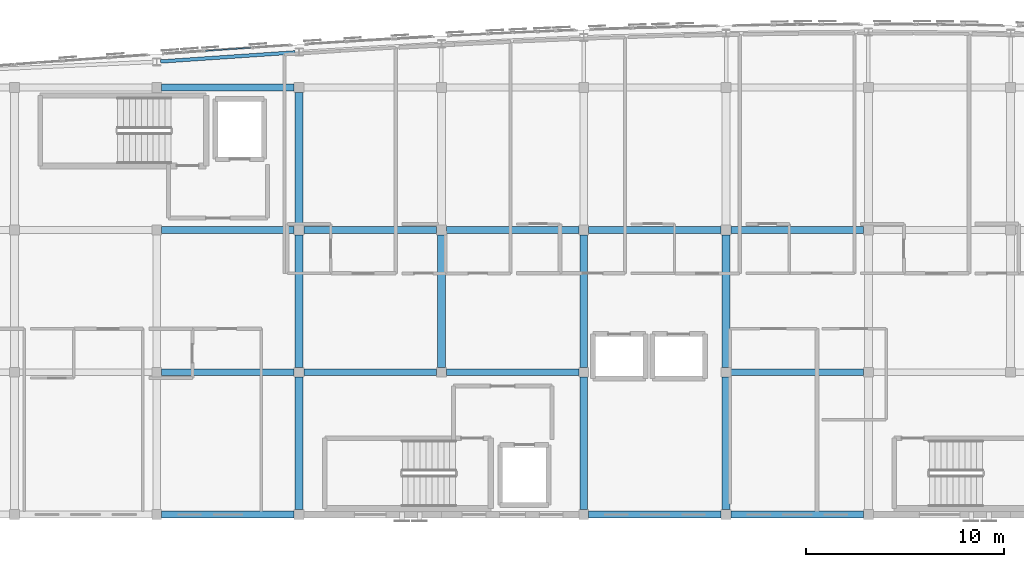
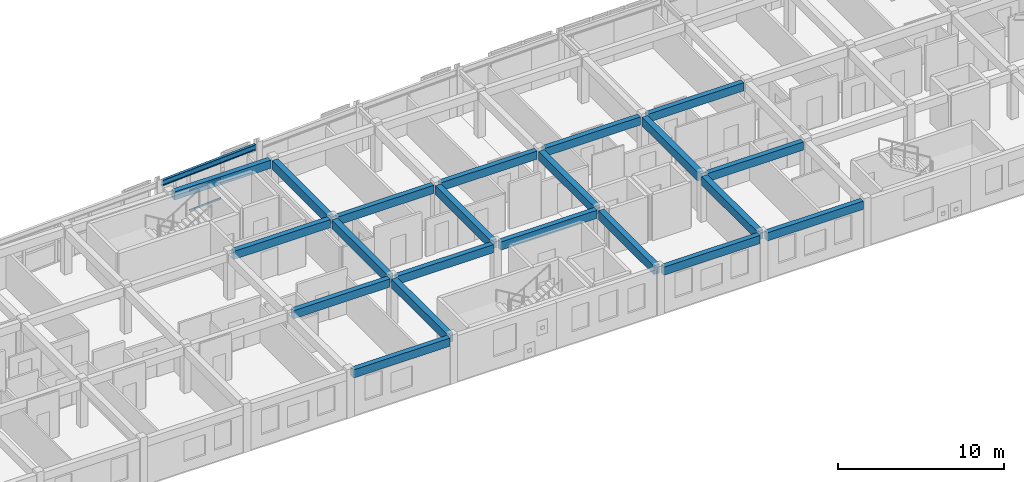
# One storey, part 9 of 34: 22 beams, 3 members, 1 element without a shape of its own.
"""IFC4 building model written with IfcOpenShell, lengths in metres."""

from ifc_helpers import new_model, si_unit, direction, frame, origin, origin_2d, place, context, subcontext, project, spatial, rectangle, hollow_rectangle, i_section, extrude, material, layer, layer_set, material_profile, profile_set, type_object, element, aggregate, save


model = new_model("IFC4")

# Units and contexts
model_context = context("Model", 3, precision=1e-05, world=origin(), true_north=direction((0.0, 1.0)))
body_context = subcontext(model_context, "Body", "Model", "MODEL_VIEW")
ifc_project = project(units=[si_unit("LENGTHUNIT", "METRE"), si_unit("AREAUNIT", "SQUARE_METRE"), si_unit("VOLUMEUNIT", "CUBIC_METRE"), si_unit("PLANEANGLEUNIT", "RADIAN"), si_unit("MASSUNIT", "GRAM", prefix="KILO")], contexts=[model_context])

# Site, building, storey
site_placement = place(None, origin())
site = spatial("IfcSite", under=ifc_project, at=site_placement, CompositionType="ELEMENT")
building_placement = place(site_placement, origin())
building = spatial("IfcBuilding", under=site, at=building_placement, Name="Carrowvane Square Congress Hotel", CompositionType="ELEMENT")
storey_placement = place(building_placement, frame((0.0, 0.0, 40.800048828125)))
storey = spatial("IfcBuildingStorey", under=building, at=storey_placement, Name="L10", CompositionType="ELEMENT", Elevation=40.800048828125)

# Beams
ifc_material_1 = material(Name="Concrete C35/45", Category="concrete")
ifc_material_profile_1 = material_profile(ifc_material_1, rectangle(XDim=0.35009765625, YDim=0.60009765625, at=origin_2d()), Name="RC 350x600")
ifc_profile_set_1 = profile_set([ifc_material_profile_1], Name="Concrete C35/45")
beam_type_1 = type_object("IfcBeamType", Name="BM-RC-350x600", PredefinedType="BEAM", material=ifc_profile_set_1)
for number, where, z_axis, x_axis, name in (
    (1, (62.25, 91.800048828125, 3.079833984375), (1.0, 0.0, 0.0), (0.0, 1.0, 0.0), "L11 girder N/8-9"),
    (2, (83.85009765625, 91.800048828125, 3.079833984375), (1.0, 0.0, 0.0), (0.0, 1.0, 0.0), "L11 girder N/11-12"),
    (3, (91.050048828125, 91.800048828125, 3.079833984375), (1.0, 0.0, 0.0), (0.0, 1.0, 0.0), "L11 girder N/12-13"),
    (4, (62.25, 99.0, 3.079833984375), (1.0, 0.0, 0.0), (0.0, 1.0, 0.0), "L11 girder P/8-9"),
    (5, (69.449951171875, 99.0, 3.079833984375), (1.0, 0.0, 0.0), (0.0, 1.0, 0.0), "L11 girder P/9-10"),
):
    element("IfcBeam", number, at=place(storey_placement, frame(where, z_axis=z_axis, x_axis=x_axis)), inside=storey, type_object=beam_type_1, Name=name, PredefinedType="BEAM", context=body_context, shape_type="SweptSolid", body=[
        extrude(rectangle(XDim=0.35009765625, YDim=0.60009765625, at=origin_2d()), origin(), (0.0, 0.0, 1.0), 6.699951171875),
    ])
beam_1_placement = place(storey_placement, frame((76.64990234375, 99.0, 3.079833984375), z_axis=(1.0, 0.0, 0.0), x_axis=(0.0, 1.0, 0.0)))
element("IfcBeam", 6, at=beam_1_placement, inside=storey, type_object=beam_type_1, Name="L11 girder P/10-11", PredefinedType="BEAM", context=body_context, shape_type="SweptSolid", body=[
    extrude(rectangle(XDim=0.35009765625, YDim=0.60009765625, at=origin_2d()), origin(), (0.0, 0.0, 1.0), 6.7001953125),
])
for number, where, z_axis, x_axis, name in (
    (7, (91.050048828125, 99.0, 3.079833984375), (1.0, 0.0, 0.0), (0.0, 1.0, 0.0), "L11 girder P/12-13"),
    (8, (62.25, 106.199951171875, 3.079833984375), (1.0, 0.0, 0.0), (0.0, 1.0, 0.0), "L11 girder Q/8-9"),
    (9, (69.449951171875, 106.199951171875, 3.079833984375), (1.0, 0.0, 0.0), (0.0, 1.0, 0.0), "L11 girder Q/9-10"),
):
    element("IfcBeam", number, at=place(storey_placement, frame(where, z_axis=z_axis, x_axis=x_axis)), inside=storey, type_object=beam_type_1, Name=name, PredefinedType="BEAM", context=body_context, shape_type="SweptSolid", body=[
        extrude(rectangle(XDim=0.35009765625, YDim=0.60009765625, at=origin_2d()), origin(), (0.0, 0.0, 1.0), 6.699951171875),
    ])
beam_2_placement = place(storey_placement, frame((76.64990234375, 106.199951171875, 3.079833984375), z_axis=(1.0, 0.0, 0.0), x_axis=(0.0, 1.0, 0.0)))
element("IfcBeam", 10, at=beam_2_placement, inside=storey, type_object=beam_type_1, Name="L11 girder Q/10-11", PredefinedType="BEAM", context=body_context, shape_type="SweptSolid", body=[
    extrude(rectangle(XDim=0.35009765625, YDim=0.60009765625, at=origin_2d()), origin(), (0.0, 0.0, 1.0), 6.7001953125),
])
for number, where, z_axis, x_axis, name in (
    (11, (83.85009765625, 106.199951171875, 3.079833984375), (1.0, 0.0, 0.0), (0.0, 1.0, 0.0), "L11 girder Q/11-12"),
    (12, (91.050048828125, 106.199951171875, 3.079833984375), (1.0, 0.0, 0.0), (0.0, 1.0, 0.0), "L11 girder Q/12-13"),
    (13, (62.25, 113.39990234375, 3.079833984375), (1.0, 0.0, 0.0), (0.0, 1.0, 0.0), "L11 girder R/8-9"),
):
    element("IfcBeam", number, at=place(storey_placement, frame(where, z_axis=z_axis, x_axis=x_axis)), inside=storey, type_object=beam_type_1, Name=name, PredefinedType="BEAM", context=body_context, shape_type="SweptSolid", body=[
        extrude(rectangle(XDim=0.35009765625, YDim=0.60009765625, at=origin_2d()), origin(), (0.0, 0.0, 1.0), 6.699951171875),
    ])
ifc_material_2 = material(Name="Concrete C35/45", Category="concrete")
ifc_material_profile_2 = material_profile(ifc_material_2, rectangle(XDim=0.39990234375, YDim=0.64990234375, at=origin_2d()), Name="RC 400x650")
ifc_profile_set_2 = profile_set([ifc_material_profile_2], Name="Concrete C35/45")
beam_type_2 = type_object("IfcBeamType", Name="BM-RC-400x650", PredefinedType="BEAM", material=ifc_profile_set_2)
for number, where, z_axis, x_axis, name in (
    (14, (69.199951171875, 92.050048828125, 3.054931640625), (0.0, 1.0, 0.0), (-1.0, 0.0, 0.0), "L11 girder 9/N-P"),
    (15, (69.199951171875, 99.25, 3.054931640625), (0.0, 1.0, 0.0), (-1.0, 0.0, 0.0), "L11 girder 9/P-Q"),
    (16, (69.199951171875, 106.449951171875, 3.054931640625), (0.0, 1.0, 0.0), (-1.0, 0.0, 0.0), "L11 girder 9/Q-R"),
    (17, (76.39990234375, 99.25, 3.054931640625), (0.0, 1.0, 0.0), (-1.0, 0.0, 0.0), "L11 girder 10/P-Q"),
    (18, (83.60009765625, 92.050048828125, 3.054931640625), (0.0, 1.0, 0.0), (-1.0, 0.0, 0.0), "L11 girder 11/N-P"),
    (19, (83.60009765625, 99.25, 3.054931640625), (0.0, 1.0, 0.0), (-1.0, 0.0, 0.0), "L11 girder 11/P-Q"),
    (20, (90.800048828125, 92.050048828125, 3.054931640625), (0.0, 1.0, 0.0), (-1.0, 0.0, 0.0), "L11 girder 12/N-P"),
    (21, (90.800048828125, 99.25, 3.054931640625), (0.0, 1.0, 0.0), (-1.0, 0.0, 0.0), "L11 girder 12/P-Q"),
):
    element("IfcBeam", number, at=place(storey_placement, frame(where, z_axis=z_axis, x_axis=x_axis)), inside=storey, type_object=beam_type_2, Name=name, PredefinedType="BEAM", context=body_context, shape_type="SweptSolid", body=[
        extrude(rectangle(XDim=0.39990234375, YDim=0.64990234375, at=origin_2d()), origin(), (0.0, 0.0, 1.0), 6.699951171875),
    ])
ifc_material_3 = material(Name="Steel S355", Category="steel")
ifc_material_profile_3 = material_profile(ifc_material_3, i_section(OverallWidth=0.1787109375, OverallDepth=0.409423828125, WebThickness=0.0087890625, FlangeThickness=0.014404296875, FilletRadius=0.01025390625, at=origin_2d()), Name="UKB 406x178x67")
ifc_profile_set_3 = profile_set([ifc_material_profile_3], Name="Steel S355")
beam_type_3 = type_object("IfcBeamType", Name="BM-ST-UKB406", PredefinedType="BEAM", material=ifc_profile_set_3)
beam_3_placement = place(storey_placement, frame((62.197021484375, 114.71923828125, 3.17529296875), z_axis=(0.99770720425, 0.067678169216, 0.0), x_axis=(-0.067678169216, 0.99770720425, 0.0)))
element("IfcBeam", 22, at=beam_3_placement, inside=storey, type_object=beam_type_3, Name="L11 curved north spandrel", PredefinedType="BEAM", context=body_context, shape_type="SweptSolid", body=[
    extrude(i_section(OverallWidth=0.1787109375, OverallDepth=0.409423828125, WebThickness=0.0087890625, FlangeThickness=0.014404296875, FilletRadius=0.01025390625, at=origin_2d()), origin(), (0.0, 0.0, 1.0), 6.821533203125),
])

# Curtain wall, members
ifc_material_4 = material(Name="Anodised aluminium", Category="aluminium")
ifc_layer = layer(ifc_material_4, 0.162109375)
ifc_layer_set = layer_set([ifc_layer], Name="Anodised aluminium")
curtain_wall_type = type_object("IfcCurtainWallType", Name="CW-SYS-1", PredefinedType="NOTDEFINED", material=ifc_layer_set)
curtain_wall_placement = place(storey_placement, origin())
curtain_wall = element("IfcCurtainWall", 23, at=curtain_wall_placement, inside=storey, type_object=curtain_wall_type, Name="L10 unitised curtain wall 560", PredefinedType="NOTDEFINED")
ifc_material_5 = material(Name="Anodised aluminium", Category="aluminium")
ifc_material_profile_4 = material_profile(ifc_material_5, hollow_rectangle(XDim=0.06005859375, YDim=0.1298828125, WallThickness=0.00390625, at=origin_2d()), Name="CW-TR 60x130x4")
ifc_profile_set_4 = profile_set([ifc_material_profile_4], Name="Anodised aluminium")
member_type = type_object("IfcMemberType", Name="CW-TRN-1", PredefinedType="USERDEFINED", material=ifc_profile_set_4)
member_1_placement = place(storey_placement, frame((64.4599609375, 115.2578125, 0.030029296875), z_axis=(0.997696363245, 0.067837797479, 0.0), x_axis=(-0.067837797479, 0.997696363245, 0.0)))
member_1 = element("IfcMember", 24, at=member_1_placement, type_object=member_type, Name="CW-1 transom 1.1", ObjectType="TRANSOM", PredefinedType="USERDEFINED", context=body_context, shape_type="SweptSolid", body=[
    extrude(hollow_rectangle(XDim=0.06005859375, YDim=0.1298828125, WallThickness=0.00390625, at=origin_2d()), origin(), (0.0, 0.0, 1.0), 2.285400390625),
])
member_2_placement = place(storey_placement, frame((64.4599609375, 115.2578125, 1.477783203125), z_axis=(0.997696363245, 0.067837797479, 0.0), x_axis=(-0.067837797479, 0.997696363245, 0.0)))
member_2 = element("IfcMember", 25, at=member_2_placement, type_object=member_type, Name="CW-1 transom 1.2", ObjectType="TRANSOM", PredefinedType="USERDEFINED", context=body_context, shape_type="SweptSolid", body=[
    extrude(hollow_rectangle(XDim=0.06005859375, YDim=0.1298828125, WallThickness=0.00390625, at=origin_2d()), origin(), (0.0, 0.0, 1.0), 2.285400390625),
])
member_3_placement = place(storey_placement, frame((64.4599609375, 115.2578125, 2.925537109375), z_axis=(0.997696363245, 0.067837797479, 0.0), x_axis=(-0.067837797479, 0.997696363245, 0.0)))
member_3 = element("IfcMember", 26, at=member_3_placement, type_object=member_type, Name="CW-1 transom 1.3", ObjectType="TRANSOM", PredefinedType="USERDEFINED", context=body_context, shape_type="SweptSolid", body=[
    extrude(hollow_rectangle(XDim=0.06005859375, YDim=0.1298828125, WallThickness=0.00390625, at=origin_2d()), origin(), (0.0, 0.0, 1.0), 2.285400390625),
])
aggregate(curtain_wall, [member_1, member_2, member_3])

save(model, "model.ifc")
